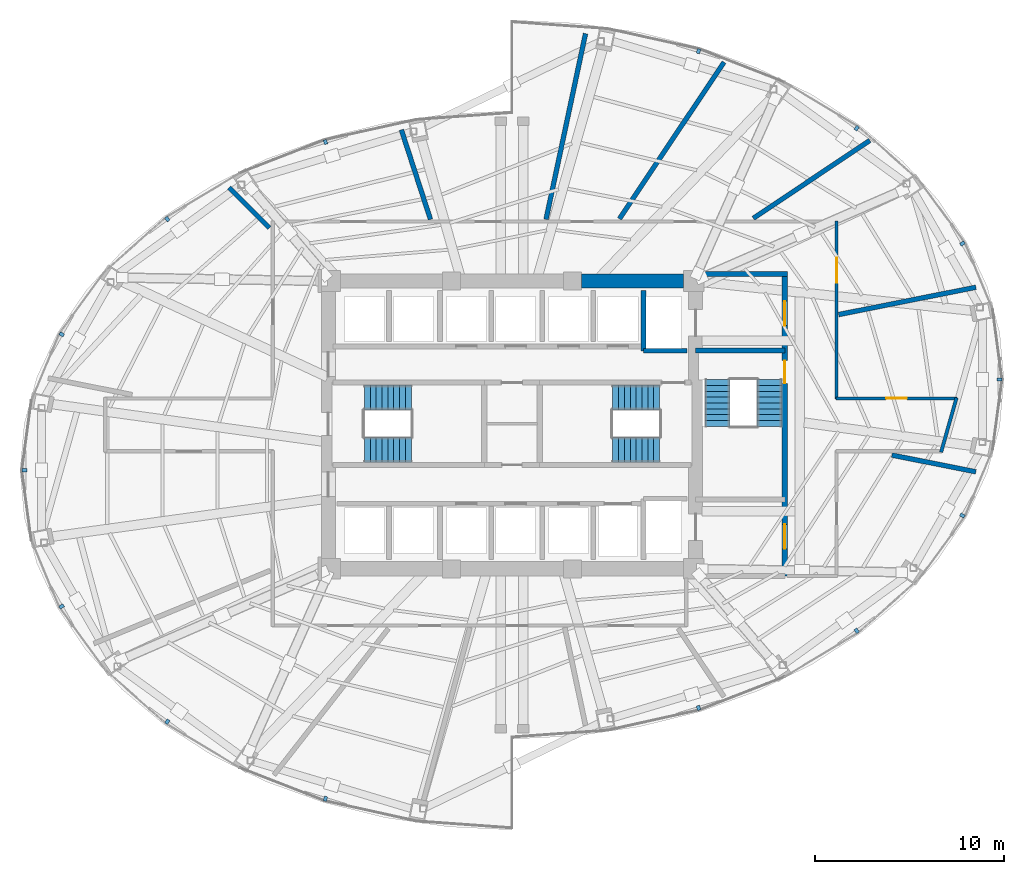
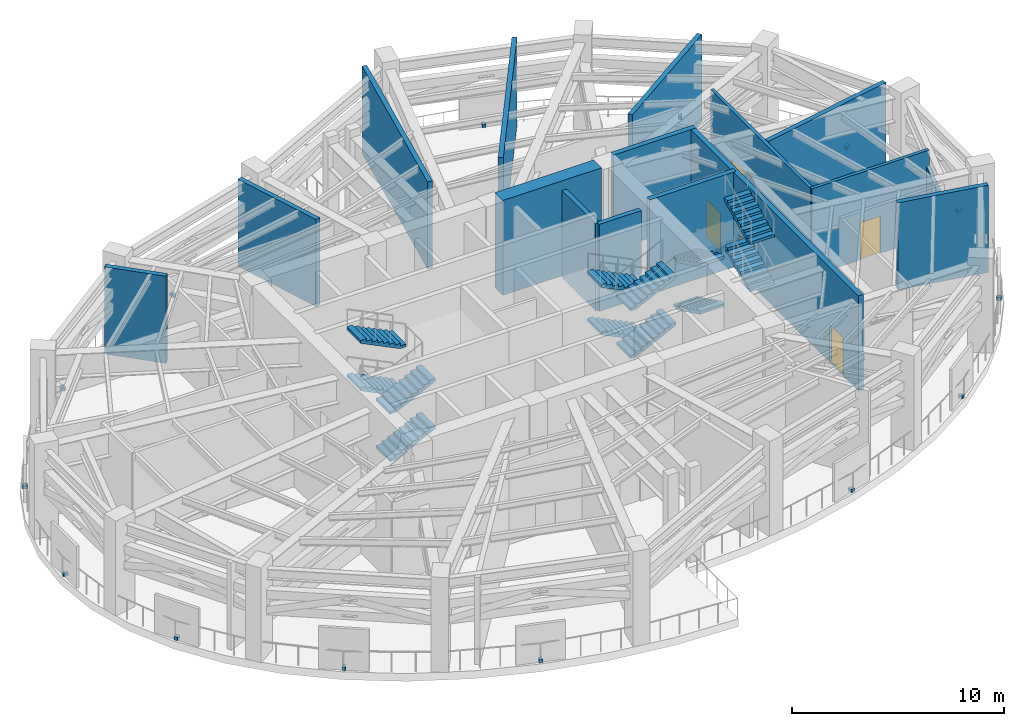
# One storey, part 9 of 12: 16 walls, 14 discrete accessories, 12 stair flights, 5 doors, 5 openings, 3 elements without a shape of their own.
"""IFC4 building model written with IfcOpenShell, lengths in metres."""

from ifc_helpers import new_model, si_unit, direction, frame, frame_2d, origin, origin_2d, place, context, subcontext, project, spatial, polyline, rectangle, outline, extrude, material, layer, layer_set, type_object, element, fill, aggregate, save


model = new_model("IFC4")

# Units and contexts
model_context = context("Model", 3, precision=1e-05, world=origin(), true_north=direction((0.0, 1.0)))
body_context = subcontext(model_context, "Body", "Model", "MODEL_VIEW")
ifc_project = project(units=[si_unit("LENGTHUNIT", "METRE"), si_unit("AREAUNIT", "SQUARE_METRE"), si_unit("VOLUMEUNIT", "CUBIC_METRE"), si_unit("PLANEANGLEUNIT", "RADIAN"), si_unit("MASSUNIT", "GRAM", prefix="KILO")], contexts=[model_context])

# Site, building, storey
site_placement = place(None, origin())
site = spatial("IfcSite", under=ifc_project, at=site_placement, CompositionType="ELEMENT")
building_placement = place(site_placement, origin())
building = spatial("IfcBuilding", under=site, at=building_placement, Name="Lazwardi Medical Tower", CompositionType="ELEMENT")
storey_placement = place(building_placement, frame((0.0, 0.0, 132.81591796875)))
storey = spatial("IfcBuildingStorey", under=building, at=storey_placement, Name="L34", CompositionType="ELEMENT", Elevation=132.81591796875)

# Wall, opening, door
ifc_material_1 = material(Name="Fire-rated gypsum board on steel stud", Category="steel")
ifc_layer_1 = layer(ifc_material_1, 0.179931640625)
ifc_layer_set_1 = layer_set([ifc_layer_1], Name="Fire-rated gypsum board on steel stud")
wall_type_1 = type_object("IfcWallType", Name="WL-COR-180", PredefinedType="PARTITIONING", material=ifc_layer_set_1)
wall_1_placement = place(storey_placement, frame((53.14990234375, 38.7900390625, 0.0), z_axis=(0.0, 0.0, 1.0), x_axis=(0.0, -1.0, 0.0)))
wall_1 = element("IfcWall", 1, at=wall_1_placement, inside=storey, type_object=wall_type_1, Name="L34 Corridor partition 5", PredefinedType="PARTITIONING", context=body_context, shape_type="SweptSolid", body=[
    extrude(rectangle(XDim=9.429931640625, YDim=0.179931640625, at=frame_2d((4.71484375, 0.0))), origin(), (0.0, 0.0, 1.0), 5.02197265625),
])
opening_1_placement = place(wall_1_placement, frame((1.962646484375, 0.0, 0.0)))
opening_1 = element("IfcOpeningElement", 2, at=opening_1_placement, cuts=wall_1, Name="Opening D-L34-014", PredefinedType="OPENING", context=body_context, shape_type="SweptSolid", body=[
    extrude(rectangle(XDim=1.300048828125, YDim=2.199951171875, at=frame_2d((0.64990234375, 1.10009765625))), frame((0.0, 0.099853515625, 0.0), z_axis=(0.0, -1.0, 0.0), x_axis=(1.0, 0.0, 0.0)), (0.0, 0.0, 1.0), 0.199951171875),
])
ifc_material_2 = material(Name="Fire-rated steel leaf and frame", Category="steel")
door_type_1 = type_object("IfcDoorType", Name="DR-FFL-1300", OperationType="NOTDEFINED", PredefinedType="DOOR", material=ifc_material_2)
door_1_placement = place(opening_1_placement, origin())
door_1 = element("IfcDoor", 3, at=door_1_placement, inside=storey, type_object=door_type_1, Name="L34 Area of Refuge Door 08", OperationType="SINGLE_SWING_RIGHT", OverallHeight=2.199951171875, OverallWidth=1.300048828125, PredefinedType="DOOR", context=body_context, shape_type="SweptSolid", body=[
    extrude(rectangle(XDim=1.300048828125, YDim=2.199951171875, at=frame_2d((0.64990234375, 1.10009765625))), frame((0.0, 0.02490234375, 0.0), z_axis=(0.0, -1.0, 0.0), x_axis=(1.0, 0.0, 0.0)), (0.0, 0.0, 1.0), 0.050048828125),
])
fill(opening_1, door_1)

wall_2_placement = place(storey_placement, frame((53.110107421875, 29.39990234375, 0.0), z_axis=(0.0, 0.0, 1.0), x_axis=(1.0, 0.0, 0.0)))
wall_2 = element("IfcWall", 4, at=wall_2_placement, inside=storey, type_object=wall_type_1, Name="L34 Corridor partition 6", PredefinedType="PARTITIONING", context=body_context, shape_type="SweptSolid", body=[
    extrude(rectangle(XDim=6.41259765625, YDim=0.179931640625, at=frame_2d((3.206298828125, 0.0))), origin(), (0.0, 0.0, 1.0), 5.02197265625),
])
opening_2_placement = place(wall_2_placement, frame((2.656494140625, 0.0, 0.0)))
opening_2 = element("IfcOpeningElement", 5, at=opening_2_placement, cuts=wall_2, Name="Opening D-L34-013", PredefinedType="OPENING", context=body_context, shape_type="SweptSolid", body=[
    extrude(rectangle(XDim=1.10009765625, YDim=2.14990234375, at=frame_2d((0.550048828125, 1.074951171875))), frame((0.0, 0.099853515625, 0.0), z_axis=(0.0, -1.0, 0.0), x_axis=(1.0, 0.0, 0.0)), (0.0, 0.0, 1.0), 0.199951171875),
])
door_type_2 = type_object("IfcDoorType", Name="DR-PLT-1100", OperationType="NOTDEFINED", PredefinedType="DOOR", material=ifc_material_2)
door_2_placement = place(opening_2_placement, origin())
door_2 = element("IfcDoor", 6, at=door_2_placement, inside=storey, type_object=door_type_2, Name="L34 Electrical Switchroom Door 07", OperationType="SINGLE_SWING_LEFT", OverallHeight=2.14990234375, OverallWidth=1.10009765625, PredefinedType="DOOR", context=body_context, shape_type="SweptSolid", body=[
    extrude(rectangle(XDim=1.10009765625, YDim=2.14990234375, at=frame_2d((0.550048828125, 1.074951171875))), frame((0.0, 0.02490234375, 0.0), z_axis=(0.0, -1.0, 0.0), x_axis=(1.0, 0.0, 0.0)), (0.0, 0.0, 1.0), 0.050048828125),
])
fill(opening_2, door_2)

# Walls
wall_3_placement = place(storey_placement, frame((59.49365234375, 29.4384765625, 0.0), z_axis=(0.0, 0.0, 1.0), x_axis=(-0.273222154729, -0.961950962453, 0.0)))
element("IfcWall", 7, at=wall_3_placement, inside=storey, type_object=wall_type_1, Name="L34 Corridor partition 7", PredefinedType="PARTITIONING", context=body_context, shape_type="SweptSolid", body=[
    extrude(rectangle(XDim=2.99072265625, YDim=0.179931640625, at=frame_2d((1.495361328125, 0.0))), origin(), (0.0, 0.0, 1.0), 4.107177734375),
])
ifc_material_3 = material(Name="Concrete C70/85", Category="concrete")
ifc_layer_2 = layer(ifc_material_3, 0.75)
ifc_layer_set_2 = layer_set([ifc_layer_2], Name="Concrete C70/85")
wall_type_2 = type_object("IfcWallType", Name="WL-CORE-750", PredefinedType="SHEAR", material=ifc_layer_set_2)
wall_4_placement = place(storey_placement, frame((39.675048828125, 35.60009765625, 0.0), z_axis=(0.0, 0.0, 1.0), x_axis=(1.0, 0.0, 0.0)))
element("IfcWall", 8, at=wall_4_placement, inside=storey, type_object=wall_type_2, Name="Core wall CW-S2 N3 L34", PredefinedType="SHEAR", context=body_context, shape_type="SweptSolid", body=[
    extrude(rectangle(XDim=5.375, YDim=0.75, at=frame_2d((2.6875, 0.0))), origin(), (0.0, 0.0, 1.0), 5.47216796875),
])
ifc_material_4 = material(Name="Autoclaved aerated concrete blockwork", Category="masonry")
ifc_layer_3 = layer(ifc_material_4, 0.25)
ifc_layer_set_3 = layer_set([ifc_layer_3], Name="Autoclaved aerated concrete blockwork")
wall_type_3 = type_object("IfcWallType", Name="WL-SHAFT-250", PredefinedType="SOLIDWALL", material=ifc_layer_set_3)
wall_5_placement = place(storey_placement, frame((42.949951171875, 31.919921875, 0.0), z_axis=(0.0, 0.0, 1.0), x_axis=(0.0, 1.0, 0.0)))
element("IfcWall", 9, at=wall_5_placement, inside=storey, type_object=wall_type_3, Name="L34 FL-01 West shaft wall", PredefinedType="SOLIDWALL", context=body_context, shape_type="SweptSolid", body=[
    extrude(rectangle(XDim=3.18017578125, YDim=0.25, at=frame_2d((1.590087890625, 0.0))), origin(), (0.0, 0.0, 1.0), 5.02197265625),
])
wall_6_placement = place(storey_placement, frame((42.949951171875, 31.919921875, 0.0), z_axis=(0.0, 0.0, 1.0), x_axis=(1.0, 0.0, 0.0)))
element("IfcWall", 10, at=wall_6_placement, inside=storey, type_object=wall_type_3, Name="L34 FL-01 South shaft wall", PredefinedType="SOLIDWALL", context=body_context, shape_type="SweptSolid", body=[
    extrude(rectangle(XDim=2.300048828125, YDim=0.25, at=frame_2d((1.14990234375, 0.0))), origin(), (0.0, 0.0, 1.0), 5.02197265625),
])
wall_7_placement = place(storey_placement, frame((56.076904296875, 26.406494140625, 0.0), z_axis=(0.0, 0.0, 1.0), x_axis=(0.98077940709, -0.195119846833, 0.0)))
element("IfcWall", 11, at=wall_7_placement, inside=storey, type_object=wall_type_3, Name="L34 Room partition 3", PredefinedType="SOLIDWALL", context=body_context, shape_type="SweptSolid", body=[
    extrude(rectangle(XDim=4.5244140625, YDim=0.25, at=frame_2d((2.26220703125, 0.0))), origin(), (0.0, 0.0, 1.0), 5.02197265625),
])
wall_8_placement = place(storey_placement, frame((53.263916015625, 33.833984375, 0.0), z_axis=(0.0, 0.0, 1.0), x_axis=(0.980787172851, 0.195080807799, 0.0)))
element("IfcWall", 12, at=wall_8_placement, inside=storey, type_object=wall_type_3, Name="L34 Room partition 4", PredefinedType="SOLIDWALL", context=body_context, shape_type="SweptSolid", body=[
    extrude(rectangle(XDim=7.392578125, YDim=0.25, at=frame_2d((3.6962890625, 0.0))), origin(), (0.0, 0.0, 1.0), 5.02197265625),
])
wall_9_placement = place(storey_placement, frame((48.753662109375, 38.921630859375, 0.0), z_axis=(0.0, 0.0, 1.0), x_axis=(0.831461258052, 0.555582735835, 0.0)))
element("IfcWall", 13, at=wall_9_placement, inside=storey, type_object=wall_type_3, Name="L34 Room partition 5", PredefinedType="SOLIDWALL", context=body_context, shape_type="SweptSolid", body=[
    extrude(rectangle(XDim=7.402587890625, YDim=0.25, at=frame_2d((3.701171875, 0.0))), origin(), (0.0, 0.0, 1.0), 5.02197265625),
])
wall_10_placement = place(storey_placement, frame((41.67724609375, 38.896484375, 0.0), z_axis=(0.0, 0.0, 1.0), x_axis=(0.555549238149, 0.831483640243, 0.0)))
element("IfcWall", 14, at=wall_10_placement, inside=storey, type_object=wall_type_3, Name="L34 Room partition 6", PredefinedType="SOLIDWALL", context=body_context, shape_type="SweptSolid", body=[
    extrude(rectangle(XDim=9.9501953125, YDim=0.25, at=frame_2d((4.97509765625, 0.0))), origin(), (0.0, 0.0, 1.0), 5.02197265625),
])
wall_11_placement = place(storey_placement, frame((37.799072265625, 38.86376953125, 0.0), z_axis=(0.0, 0.0, 1.0), x_axis=(0.207909086441, 0.978148154308, 0.0)))
element("IfcWall", 15, at=wall_11_placement, inside=storey, type_object=wall_type_3, Name="L34 Room partition 7", PredefinedType="SOLIDWALL", context=body_context, shape_type="SweptSolid", body=[
    extrude(rectangle(XDim=10.036376953125, YDim=0.25, at=frame_2d((5.01806640625, 0.0))), origin(), (0.0, 0.0, 1.0), 5.02197265625),
])
wall_12_placement = place(storey_placement, frame((31.69091796875, 38.862060546875, 0.0), z_axis=(0.0, 0.0, 1.0), x_axis=(-0.309009556848, 0.951058932862, 0.0)))
element("IfcWall", 16, at=wall_12_placement, inside=storey, type_object=wall_type_3, Name="L34 Room partition 8", PredefinedType="SOLIDWALL", context=body_context, shape_type="SweptSolid", body=[
    extrude(rectangle(XDim=4.978271484375, YDim=0.25, at=frame_2d((2.4892578125, 0.0))), origin(), (0.0, 0.0, 1.0), 5.02197265625),
])
wall_13_placement = place(storey_placement, frame((23.181884765625, 38.418212890625, 0.0), z_axis=(0.0, 0.0, 1.0), x_axis=(-0.707106781187, 0.707106781187, 0.0)))
element("IfcWall", 17, at=wall_13_placement, inside=storey, type_object=wall_type_3, Name="L34 Room partition 9", PredefinedType="SOLIDWALL", context=body_context, shape_type="SweptSolid", body=[
    extrude(rectangle(XDim=3.011474609375, YDim=0.25, at=frame_2d((1.505859375, 0.0))), origin(), (0.0, 0.0, 1.0), 5.02197265625),
])

# Wall, openings, doors
ifc_material_5 = material(Name="Concrete C50/60", Category="concrete")
ifc_layer_4 = layer(ifc_material_5, 0.27001953125)
ifc_layer_set_4 = layer_set([ifc_layer_4], Name="Concrete C50/60")
wall_type_4 = type_object("IfcWallType", Name="WL-STR-250", PredefinedType="SHEAR", material=ifc_layer_set_4)
wall_14_placement = place(storey_placement, frame((50.4150390625, 35.844970703125, 0.0), z_axis=(0.0, 0.0, 1.0), x_axis=(0.0, -1.0, 0.0)))
wall_14 = element("IfcWall", 18, at=wall_14_placement, inside=storey, type_object=wall_type_4, Name="L34 East ST3 & FFL shear wall SW-S1", PredefinedType="SHEAR", context=body_context, shape_type="SweptSolid", body=[
    extrude(rectangle(XDim=15.824951171875, YDim=0.27001953125, at=frame_2d((7.91259765625, 0.0))), origin(), (0.0, 0.0, 1.0), 5.47216796875),
])
opening_3_placement = place(wall_14_placement, frame((4.445068359375, 0.0, 0.0)))
opening_3 = element("IfcOpeningElement", 19, at=opening_3_placement, cuts=wall_14, Name="Opening D-L34-022", PredefinedType="OPENING", context=body_context, shape_type="SweptSolid", body=[
    extrude(rectangle(XDim=1.199951171875, YDim=2.14990234375, at=frame_2d((0.60009765625, 1.074951171875))), frame((0.0, 0.14501953125, 0.0), z_axis=(0.0, -1.0, 0.0), x_axis=(1.0, 0.0, 0.0)), (0.0, 0.0, 1.0), 0.2900390625),
])
opening_4_placement = place(wall_14_placement, frame((1.294921875, 0.0, 0.0)))
opening_4 = element("IfcOpeningElement", 20, at=opening_4_placement, cuts=wall_14, Name="Opening D-L34-003", PredefinedType="OPENING", context=body_context, shape_type="SweptSolid", body=[
    extrude(rectangle(XDim=1.300048828125, YDim=2.199951171875, at=frame_2d((0.64990234375, 1.10009765625))), frame((0.0, 0.14501953125, 0.0), z_axis=(0.0, -1.0, 0.0), x_axis=(1.0, 0.0, 0.0)), (0.0, 0.0, 1.0), 0.2900390625),
])
opening_5_placement = place(wall_14_placement, frame((13.094970703125, 0.0, 0.0)))
opening_5 = element("IfcOpeningElement", 21, at=opening_5_placement, cuts=wall_14, Name="Opening D-L34-004", PredefinedType="OPENING", context=body_context, shape_type="SweptSolid", body=[
    extrude(rectangle(XDim=1.300048828125, YDim=2.199951171875, at=frame_2d((0.64990234375, 1.10009765625))), frame((0.0, 0.14501953125, 0.0), z_axis=(0.0, -1.0, 0.0), x_axis=(1.0, 0.0, 0.0)), (0.0, 0.0, 1.0), 0.2900390625),
])
door_3_placement = place(opening_4_placement, origin())
door_3 = element("IfcDoor", 22, at=door_3_placement, inside=storey, type_object=door_type_1, Name="L34 Fire-Fighting Lobby North Door", OperationType="SINGLE_SWING_LEFT", OverallHeight=2.199951171875, OverallWidth=1.300048828125, PredefinedType="DOOR", context=body_context, shape_type="SweptSolid", body=[
    extrude(rectangle(XDim=1.300048828125, YDim=2.199951171875, at=frame_2d((0.64990234375, 1.10009765625))), frame((0.0, 0.02490234375, 0.0), z_axis=(0.0, -1.0, 0.0), x_axis=(1.0, 0.0, 0.0)), (0.0, 0.0, 1.0), 0.050048828125),
])
fill(opening_4, door_3)
door_4_placement = place(opening_5_placement, origin())
door_4 = element("IfcDoor", 23, at=door_4_placement, inside=storey, type_object=door_type_1, Name="L34 Fire-Fighting Lobby South Door", OperationType="SINGLE_SWING_RIGHT", OverallHeight=2.199951171875, OverallWidth=1.300048828125, PredefinedType="DOOR", context=body_context, shape_type="SweptSolid", body=[
    extrude(rectangle(XDim=1.300048828125, YDim=2.199951171875, at=frame_2d((0.64990234375, 1.10009765625))), frame((0.0, 0.02490234375, 0.0), z_axis=(0.0, -1.0, 0.0), x_axis=(1.0, 0.0, 0.0)), (0.0, 0.0, 1.0), 0.050048828125),
])
fill(opening_5, door_4)
door_type_3 = type_object("IfcDoorType", Name="DR-STR-1200", OperationType="NOTDEFINED", PredefinedType="DOOR", material=ifc_material_2)
door_5_placement = place(opening_3_placement, origin())
door_5 = element("IfcDoor", 24, at=door_5_placement, inside=storey, type_object=door_type_3, Name="L34 Exit Stair ST3 Door", OperationType="SINGLE_SWING_RIGHT", OverallHeight=2.14990234375, OverallWidth=1.199951171875, PredefinedType="DOOR", context=body_context, shape_type="SweptSolid", body=[
    extrude(rectangle(XDim=1.199951171875, YDim=2.14990234375, at=frame_2d((0.60009765625, 1.074951171875))), frame((0.0, 0.02490234375, 0.0), z_axis=(0.0, -1.0, 0.0), x_axis=(1.0, 0.0, 0.0)), (0.0, 0.0, 1.0), 0.050048828125),
])
fill(opening_3, door_5)

# Walls
wall_15_placement = place(storey_placement, frame((46.074951171875, 35.97998046875, 0.0), z_axis=(0.0, 0.0, 1.0), x_axis=(1.0, 0.0, 0.0)))
element("IfcWall", 25, at=wall_15_placement, inside=storey, type_object=wall_type_4, Name="L34 FFL-N North shear wall SW-S1", PredefinedType="SHEAR", context=body_context, shape_type="SweptSolid", body=[
    extrude(rectangle(XDim=4.47509765625, YDim=0.27001953125, at=frame_2d((2.237548828125, 0.0))), origin(), (0.0, 0.0, 1.0), 5.47216796875),
])
wall_16_placement = place(storey_placement, frame((45.699951171875, 31.93505859375, 0.0), z_axis=(0.0, 0.0, 1.0), x_axis=(1.0, 0.0, 0.0)))
element("IfcWall", 26, at=wall_16_placement, inside=storey, type_object=wall_type_4, Name="L34 ST3 North shear shaft wall SW-S1", PredefinedType="SHEAR", context=body_context, shape_type="SweptSolid", body=[
    extrude(rectangle(XDim=4.715087890625, YDim=0.27001953125, at=frame_2d((2.357421875, 0.0))), origin(), (0.0, 0.0, 1.0), 5.47216796875),
])

# Stair, stair flights
ifc_material_6 = material(Name="Concrete C45/55", Category="concrete")
stair_type = type_object("IfcStairType", Name="STR-REF", PredefinedType="HALF_TURN_STAIR", material=ifc_material_6)
stair_1_placement = place(storey_placement, origin())
stair_1 = element("IfcStair", 27, at=stair_1_placement, inside=storey, type_object=stair_type, Name="L34 Protected Exit Stair ST1", PredefinedType="HALF_TURN_STAIR")
stair_flight_type = type_object("IfcStairFlightType", Name="FLT-REF", PredefinedType="STRAIGHT", material=ifc_material_6)
stair_flight_1_placement = place(storey_placement, frame((28.199951171875, 26.679931640625, 0.0), z_axis=(0.0, 0.0, 1.0), x_axis=(1.0, 0.0, 0.0)))
stair_flight_1 = element("IfcStairFlight", 28, at=stair_flight_1_placement, type_object=stair_flight_type, Name="ST1 flight 1", NumberOfRisers=9, NumberOfTreads=8, PredefinedType="STRAIGHT", RiserHeight=0.152, TreadLength=0.31, context=body_context, shape_type="SweptSolid", body=[
    extrude(outline(polyline([(0.0, 0.0), (0.0, 0.152099609375), (0.31005859375, 0.152099609375), (0.31005859375, 0.303955078125), (0.6201171875, 0.303955078125), (0.6201171875, 0.4560546875), (0.929931640625, 0.4560546875), (0.929931640625, 0.60791015625), (1.239990234375, 0.60791015625), (1.239990234375, 0.760009765625), (1.550048828125, 0.760009765625), (1.550048828125, 0.912109375), (1.860107421875, 0.912109375), (1.860107421875, 1.06396484375), (2.169921875, 1.06396484375), (2.169921875, 1.216064453125), (2.47998046875, 1.216064453125), (2.47998046875, 1.367919921875), (2.47998046875, 1.049072265625), (0.340576171875, 0.0), (0.0, 0.0)])), frame((0.0, 0.66015625, 0.0), z_axis=(0.0, -1.0, 0.0), x_axis=(1.0, 0.0, 0.0)), (0.0, 0.0, 1.0), 1.320068359375),
])
stair_flight_2_placement = place(storey_placement, frame((30.679931640625, 29.43994140625, 1.3681640625), z_axis=(0.0, 0.0, 1.0), x_axis=(-1.0, 0.0, 0.0)))
stair_flight_2 = element("IfcStairFlight", 29, at=stair_flight_2_placement, type_object=stair_flight_type, Name="ST1 flight 2", NumberOfRisers=9, NumberOfTreads=8, PredefinedType="STRAIGHT", RiserHeight=0.152, TreadLength=0.31, context=body_context, shape_type="SweptSolid", body=[
    extrude(outline(polyline([(0.0, 0.0), (0.0, 0.152099609375), (0.31005859375, 0.152099609375), (0.31005859375, 0.303955078125), (0.6201171875, 0.303955078125), (0.6201171875, 0.4560546875), (0.929931640625, 0.4560546875), (0.929931640625, 0.60791015625), (1.239990234375, 0.60791015625), (1.239990234375, 0.760009765625), (1.550048828125, 0.760009765625), (1.550048828125, 0.912109375), (1.860107421875, 0.912109375), (1.860107421875, 1.06396484375), (2.169921875, 1.06396484375), (2.169921875, 1.216064453125), (2.47998046875, 1.216064453125), (2.47998046875, 1.367919921875), (2.47998046875, 1.049072265625), (0.340576171875, 0.0), (0.0, 0.0)])), frame((0.0, 0.66015625, 0.0), z_axis=(0.0, -1.0, 0.0), x_axis=(1.0, 0.0, 0.0)), (0.0, 0.0, 1.0), 1.320068359375),
])
stair_flight_3_placement = place(storey_placement, frame((28.199951171875, 26.679931640625, 2.736083984375), z_axis=(0.0, 0.0, 1.0), x_axis=(1.0, 0.0, 0.0)))
stair_flight_3 = element("IfcStairFlight", 30, at=stair_flight_3_placement, type_object=stair_flight_type, Name="ST1 flight 3", NumberOfRisers=9, NumberOfTreads=8, PredefinedType="STRAIGHT", RiserHeight=0.152, TreadLength=0.31, context=body_context, shape_type="SweptSolid", body=[
    extrude(outline(polyline([(0.0, 0.0), (0.0, 0.152099609375), (0.31005859375, 0.152099609375), (0.31005859375, 0.303955078125), (0.6201171875, 0.303955078125), (0.6201171875, 0.4560546875), (0.929931640625, 0.4560546875), (0.929931640625, 0.60791015625), (1.239990234375, 0.60791015625), (1.239990234375, 0.760009765625), (1.550048828125, 0.760009765625), (1.550048828125, 0.912109375), (1.860107421875, 0.912109375), (1.860107421875, 1.06396484375), (2.169921875, 1.06396484375), (2.169921875, 1.216064453125), (2.47998046875, 1.216064453125), (2.47998046875, 1.367919921875), (2.47998046875, 1.049072265625), (0.340576171875, 0.0), (0.0, 0.0)])), frame((0.0, 0.66015625, 0.0), z_axis=(0.0, -1.0, 0.0), x_axis=(1.0, 0.0, 0.0)), (0.0, 0.0, 1.0), 1.320068359375),
])
stair_flight_4_placement = place(storey_placement, frame((30.679931640625, 29.43994140625, 4.10400390625), z_axis=(0.0, 0.0, 1.0), x_axis=(-1.0, 0.0, 0.0)))
stair_flight_4 = element("IfcStairFlight", 31, at=stair_flight_4_placement, type_object=stair_flight_type, Name="ST1 flight 4", NumberOfRisers=9, NumberOfTreads=8, PredefinedType="STRAIGHT", RiserHeight=0.152, TreadLength=0.31, context=body_context, shape_type="SweptSolid", body=[
    extrude(outline(polyline([(0.0, 0.0), (0.0, 0.152099609375), (0.31005859375, 0.152099609375), (0.31005859375, 0.303955078125), (0.6201171875, 0.303955078125), (0.6201171875, 0.4560546875), (0.929931640625, 0.4560546875), (0.929931640625, 0.60791015625), (1.239990234375, 0.60791015625), (1.239990234375, 0.760009765625), (1.550048828125, 0.760009765625), (1.550048828125, 0.912109375), (1.860107421875, 0.912109375), (1.860107421875, 1.06396484375), (2.169921875, 1.06396484375), (2.169921875, 1.216064453125), (2.47998046875, 1.216064453125), (2.47998046875, 1.367919921875), (2.47998046875, 1.049072265625), (0.340576171875, 0.0), (0.0, 0.0)])), frame((0.0, 0.66015625, 0.0), z_axis=(0.0, -1.0, 0.0), x_axis=(1.0, 0.0, 0.0)), (0.0, 0.0, 1.0), 1.320068359375),
])
aggregate(stair_1, [stair_flight_1, stair_flight_2, stair_flight_3, stair_flight_4])

stair_2_placement = place(storey_placement, origin())
stair_2 = element("IfcStair", 32, at=stair_2_placement, inside=storey, type_object=stair_type, Name="L34 Protected Exit Stair ST2", PredefinedType="HALF_TURN_STAIR")
stair_flight_5_placement = place(storey_placement, frame((43.800048828125, 29.43994140625, 0.0), z_axis=(0.0, 0.0, 1.0), x_axis=(-1.0, 0.0, 0.0)))
stair_flight_5 = element("IfcStairFlight", 33, at=stair_flight_5_placement, type_object=stair_flight_type, Name="ST2 flight 1", NumberOfRisers=9, NumberOfTreads=8, PredefinedType="STRAIGHT", RiserHeight=0.152, TreadLength=0.31, context=body_context, shape_type="SweptSolid", body=[
    extrude(outline(polyline([(0.0, 0.0), (0.0, 0.152099609375), (0.31005859375, 0.152099609375), (0.31005859375, 0.303955078125), (0.6201171875, 0.303955078125), (0.6201171875, 0.4560546875), (0.929931640625, 0.4560546875), (0.929931640625, 0.60791015625), (1.239990234375, 0.60791015625), (1.239990234375, 0.760009765625), (1.550048828125, 0.760009765625), (1.550048828125, 0.912109375), (1.860107421875, 0.912109375), (1.860107421875, 1.06396484375), (2.169921875, 1.06396484375), (2.169921875, 1.216064453125), (2.47998046875, 1.216064453125), (2.47998046875, 1.367919921875), (2.47998046875, 1.049072265625), (0.340576171875, 0.0), (0.0, 0.0)])), frame((0.0, 0.66015625, 0.0), z_axis=(0.0, -1.0, 0.0), x_axis=(1.0, 0.0, 0.0)), (0.0, 0.0, 1.0), 1.320068359375),
])
stair_flight_6_placement = place(storey_placement, frame((41.320068359375, 26.679931640625, 1.3681640625), z_axis=(0.0, 0.0, 1.0), x_axis=(1.0, 0.0, 0.0)))
stair_flight_6 = element("IfcStairFlight", 34, at=stair_flight_6_placement, type_object=stair_flight_type, Name="ST2 flight 2", NumberOfRisers=9, NumberOfTreads=8, PredefinedType="STRAIGHT", RiserHeight=0.152, TreadLength=0.31, context=body_context, shape_type="SweptSolid", body=[
    extrude(outline(polyline([(0.0, 0.0), (0.0, 0.152099609375), (0.31005859375, 0.152099609375), (0.31005859375, 0.303955078125), (0.6201171875, 0.303955078125), (0.6201171875, 0.4560546875), (0.929931640625, 0.4560546875), (0.929931640625, 0.60791015625), (1.239990234375, 0.60791015625), (1.239990234375, 0.760009765625), (1.550048828125, 0.760009765625), (1.550048828125, 0.912109375), (1.860107421875, 0.912109375), (1.860107421875, 1.06396484375), (2.169921875, 1.06396484375), (2.169921875, 1.216064453125), (2.47998046875, 1.216064453125), (2.47998046875, 1.367919921875), (2.47998046875, 1.049072265625), (0.340576171875, 0.0), (0.0, 0.0)])), frame((0.0, 0.66015625, 0.0), z_axis=(0.0, -1.0, 0.0), x_axis=(1.0, 0.0, 0.0)), (0.0, 0.0, 1.0), 1.320068359375),
])
stair_flight_7_placement = place(storey_placement, frame((43.800048828125, 29.43994140625, 2.736083984375), z_axis=(0.0, 0.0, 1.0), x_axis=(-1.0, 0.0, 0.0)))
stair_flight_7 = element("IfcStairFlight", 35, at=stair_flight_7_placement, type_object=stair_flight_type, Name="ST2 flight 3", NumberOfRisers=9, NumberOfTreads=8, PredefinedType="STRAIGHT", RiserHeight=0.152, TreadLength=0.31, context=body_context, shape_type="SweptSolid", body=[
    extrude(outline(polyline([(0.0, 0.0), (0.0, 0.152099609375), (0.31005859375, 0.152099609375), (0.31005859375, 0.303955078125), (0.6201171875, 0.303955078125), (0.6201171875, 0.4560546875), (0.929931640625, 0.4560546875), (0.929931640625, 0.60791015625), (1.239990234375, 0.60791015625), (1.239990234375, 0.760009765625), (1.550048828125, 0.760009765625), (1.550048828125, 0.912109375), (1.860107421875, 0.912109375), (1.860107421875, 1.06396484375), (2.169921875, 1.06396484375), (2.169921875, 1.216064453125), (2.47998046875, 1.216064453125), (2.47998046875, 1.367919921875), (2.47998046875, 1.049072265625), (0.340576171875, 0.0), (0.0, 0.0)])), frame((0.0, 0.66015625, 0.0), z_axis=(0.0, -1.0, 0.0), x_axis=(1.0, 0.0, 0.0)), (0.0, 0.0, 1.0), 1.320068359375),
])
stair_flight_8_placement = place(storey_placement, frame((41.320068359375, 26.679931640625, 4.10400390625), z_axis=(0.0, 0.0, 1.0), x_axis=(1.0, 0.0, 0.0)))
stair_flight_8 = element("IfcStairFlight", 36, at=stair_flight_8_placement, type_object=stair_flight_type, Name="ST2 flight 4", NumberOfRisers=9, NumberOfTreads=8, PredefinedType="STRAIGHT", RiserHeight=0.152, TreadLength=0.31, context=body_context, shape_type="SweptSolid", body=[
    extrude(outline(polyline([(0.0, 0.0), (0.0, 0.152099609375), (0.31005859375, 0.152099609375), (0.31005859375, 0.303955078125), (0.6201171875, 0.303955078125), (0.6201171875, 0.4560546875), (0.929931640625, 0.4560546875), (0.929931640625, 0.60791015625), (1.239990234375, 0.60791015625), (1.239990234375, 0.760009765625), (1.550048828125, 0.760009765625), (1.550048828125, 0.912109375), (1.860107421875, 0.912109375), (1.860107421875, 1.06396484375), (2.169921875, 1.06396484375), (2.169921875, 1.216064453125), (2.47998046875, 1.216064453125), (2.47998046875, 1.367919921875), (2.47998046875, 1.049072265625), (0.340576171875, 0.0), (0.0, 0.0)])), frame((0.0, 0.66015625, 0.0), z_axis=(0.0, -1.0, 0.0), x_axis=(1.0, 0.0, 0.0)), (0.0, 0.0, 1.0), 1.320068359375),
])
aggregate(stair_2, [stair_flight_5, stair_flight_6, stair_flight_7, stair_flight_8])

stair_3_placement = place(storey_placement, origin())
stair_3 = element("IfcStair", 37, at=stair_3_placement, inside=storey, type_object=stair_type, Name="L34 Protected Exit Stair ST3", PredefinedType="HALF_TURN_STAIR")
stair_flight_9_placement = place(storey_placement, frame((46.860107421875, 30.39990234375, 0.0), z_axis=(0.0, 0.0, 1.0), x_axis=(0.0, -1.0, 0.0)))
stair_flight_9 = element("IfcStairFlight", 38, at=stair_flight_9_placement, type_object=stair_flight_type, Name="ST3 flight 1", NumberOfRisers=9, NumberOfTreads=8, PredefinedType="STRAIGHT", RiserHeight=0.152, TreadLength=0.31, context=body_context, shape_type="SweptSolid", body=[
    extrude(outline(polyline([(0.0, 0.0), (0.0, 0.152099609375), (0.31005859375, 0.152099609375), (0.31005859375, 0.303955078125), (0.6201171875, 0.303955078125), (0.6201171875, 0.4560546875), (0.929931640625, 0.4560546875), (0.929931640625, 0.60791015625), (1.239990234375, 0.60791015625), (1.239990234375, 0.760009765625), (1.550048828125, 0.760009765625), (1.550048828125, 0.912109375), (1.860107421875, 0.912109375), (1.860107421875, 1.06396484375), (2.169921875, 1.06396484375), (2.169921875, 1.216064453125), (2.47998046875, 1.216064453125), (2.47998046875, 1.367919921875), (2.47998046875, 1.049072265625), (0.340576171875, 0.0), (0.0, 0.0)])), frame((0.0, 0.66015625, 0.0), z_axis=(0.0, -1.0, 0.0), x_axis=(1.0, 0.0, 0.0)), (0.0, 0.0, 1.0), 1.320068359375),
])
stair_flight_10_placement = place(storey_placement, frame((49.6201171875, 27.919921875, 1.3681640625), z_axis=(0.0, 0.0, 1.0), x_axis=(0.0, 1.0, 0.0)))
stair_flight_10 = element("IfcStairFlight", 39, at=stair_flight_10_placement, type_object=stair_flight_type, Name="ST3 flight 2", NumberOfRisers=9, NumberOfTreads=8, PredefinedType="STRAIGHT", RiserHeight=0.152, TreadLength=0.31, context=body_context, shape_type="SweptSolid", body=[
    extrude(outline(polyline([(0.0, 0.0), (0.0, 0.152099609375), (0.31005859375, 0.152099609375), (0.31005859375, 0.303955078125), (0.6201171875, 0.303955078125), (0.6201171875, 0.4560546875), (0.929931640625, 0.4560546875), (0.929931640625, 0.60791015625), (1.239990234375, 0.60791015625), (1.239990234375, 0.760009765625), (1.550048828125, 0.760009765625), (1.550048828125, 0.912109375), (1.860107421875, 0.912109375), (1.860107421875, 1.06396484375), (2.169921875, 1.06396484375), (2.169921875, 1.216064453125), (2.47998046875, 1.216064453125), (2.47998046875, 1.367919921875), (2.47998046875, 1.049072265625), (0.340576171875, 0.0), (0.0, 0.0)])), frame((0.0, 0.66015625, 0.0), z_axis=(0.0, -1.0, 0.0), x_axis=(1.0, 0.0, 0.0)), (0.0, 0.0, 1.0), 1.320068359375),
])
stair_flight_11_placement = place(storey_placement, frame((46.860107421875, 30.39990234375, 2.736083984375), z_axis=(0.0, 0.0, 1.0), x_axis=(0.0, -1.0, 0.0)))
stair_flight_11 = element("IfcStairFlight", 40, at=stair_flight_11_placement, type_object=stair_flight_type, Name="ST3 flight 3", NumberOfRisers=9, NumberOfTreads=8, PredefinedType="STRAIGHT", RiserHeight=0.152, TreadLength=0.31, context=body_context, shape_type="SweptSolid", body=[
    extrude(outline(polyline([(0.0, 0.0), (0.0, 0.152099609375), (0.31005859375, 0.152099609375), (0.31005859375, 0.303955078125), (0.6201171875, 0.303955078125), (0.6201171875, 0.4560546875), (0.929931640625, 0.4560546875), (0.929931640625, 0.60791015625), (1.239990234375, 0.60791015625), (1.239990234375, 0.760009765625), (1.550048828125, 0.760009765625), (1.550048828125, 0.912109375), (1.860107421875, 0.912109375), (1.860107421875, 1.06396484375), (2.169921875, 1.06396484375), (2.169921875, 1.216064453125), (2.47998046875, 1.216064453125), (2.47998046875, 1.367919921875), (2.47998046875, 1.049072265625), (0.340576171875, 0.0), (0.0, 0.0)])), frame((0.0, 0.66015625, 0.0), z_axis=(0.0, -1.0, 0.0), x_axis=(1.0, 0.0, 0.0)), (0.0, 0.0, 1.0), 1.320068359375),
])
stair_flight_12_placement = place(storey_placement, frame((49.6201171875, 27.919921875, 4.10400390625), z_axis=(0.0, 0.0, 1.0), x_axis=(0.0, 1.0, 0.0)))
stair_flight_12 = element("IfcStairFlight", 41, at=stair_flight_12_placement, type_object=stair_flight_type, Name="ST3 flight 4", NumberOfRisers=9, NumberOfTreads=8, PredefinedType="STRAIGHT", RiserHeight=0.152, TreadLength=0.31, context=body_context, shape_type="SweptSolid", body=[
    extrude(outline(polyline([(0.0, 0.0), (0.0, 0.152099609375), (0.31005859375, 0.152099609375), (0.31005859375, 0.303955078125), (0.6201171875, 0.303955078125), (0.6201171875, 0.4560546875), (0.929931640625, 0.4560546875), (0.929931640625, 0.60791015625), (1.239990234375, 0.60791015625), (1.239990234375, 0.760009765625), (1.550048828125, 0.760009765625), (1.550048828125, 0.912109375), (1.860107421875, 0.912109375), (1.860107421875, 1.06396484375), (2.169921875, 1.06396484375), (2.169921875, 1.216064453125), (2.47998046875, 1.216064453125), (2.47998046875, 1.367919921875), (2.47998046875, 1.049072265625), (0.340576171875, 0.0), (0.0, 0.0)])), frame((0.0, 0.66015625, 0.0), z_axis=(0.0, -1.0, 0.0), x_axis=(1.0, 0.0, 0.0)), (0.0, 0.0, 1.0), 1.320068359375),
])
aggregate(stair_3, [stair_flight_9, stair_flight_10, stair_flight_11, stair_flight_12])

# Discrete accessories
ifc_material_7 = material(Name="Steel S355", Category="steel")
discrete_accessory_type = type_object("IfcDiscreteAccessoryType", Name="ACC-BRK-01", PredefinedType="BRACKET", material=ifc_material_7)
for number, where, z_axis, x_axis, name in (
    (42, (45.85791015625, 13.0478515625, 0.0), (0.0, 0.0, 1.0), (0.957299316973, 0.289098629749, 0.0), "L34 Facade Screen Bracket 01"),
    (43, (54.21533203125, 17.119140625, 0.0), (0.0, 0.0, 1.0), (0.808043354335, 0.589123024091, 0.0), "L34 Facade Screen Bracket 02"),
    (44, (59.799560546875, 23.21240234375, 0.0), (0.0, 0.0, 1.0), (0.493967664801, 0.869480273572, 0.0), "L34 Facade Screen Bracket 03"),
    (45, (61.76025390625, 30.39990234375, 0.0), (0.0, 0.0, 1.0), (0.0, 1.0, 0.0), "L34 Facade Screen Bracket 04"),
    (46, (59.799560546875, 37.587646484375, 0.0), (0.0, 0.0, 1.0), (-0.493967664801, 0.869480273572, 0.0), "L34 Facade Screen Bracket 05"),
    (47, (54.21533203125, 43.680908203125, 0.0), (0.0, 0.0, 1.0), (-0.808043354335, 0.589123024091, 0.0), "L34 Facade Screen Bracket 06"),
    (48, (45.85791015625, 47.752197265625, 0.0), (0.0, 0.0, 1.0), (-0.957299316973, 0.289098629749, 0.0), "L34 Facade Screen Bracket 07"),
    (49, (26.14208984375, 42.9521484375, 0.0), (0.0, 0.0, 1.0), (-0.957299316973, -0.289098629749, 0.0), "L34 Facade Screen Bracket 09"),
    (50, (17.78466796875, 38.880859375, 0.0), (0.0, 0.0, 1.0), (-0.808043354335, -0.589123024091, 0.0), "L34 Facade Screen Bracket 10"),
    (51, (12.200439453125, 32.78759765625, 0.0), (0.0, 0.0, 1.0), (-0.493967664801, -0.869480273572, 0.0), "L34 Facade Screen Bracket 11"),
    (52, (10.23974609375, 25.60009765625, 0.0), (0.0, 0.0, 1.0), (0.0, -1.0, 0.0), "L34 Facade Screen Bracket 12"),
    (53, (12.200439453125, 18.412353515625, 0.0), (0.0, 0.0, 1.0), (0.493967664801, -0.869480273572, 0.0), "L34 Facade Screen Bracket 13"),
    (54, (17.78466796875, 12.319091796875, 0.0), (0.0, 0.0, 1.0), (0.808043354335, -0.589123024091, 0.0), "L34 Facade Screen Bracket 14"),
    (55, (26.14208984375, 8.247802734375, 0.0), (0.0, 0.0, 1.0), (0.957299316973, -0.289098629749, 0.0), "L34 Facade Screen Bracket 15"),
):
    element("IfcDiscreteAccessory", number, at=place(storey_placement, frame(where, z_axis=z_axis, x_axis=x_axis)), inside=storey, type_object=discrete_accessory_type, Name=name, PredefinedType="BRACKET", context=body_context, shape_type="SweptSolid", body=[
        extrude(rectangle(XDim=0.179931640625, YDim=0.25, at=origin_2d()), origin(), (0.0, 0.0, 1.0), 0.179931640625),
    ])

save(model, "model.ifc")
